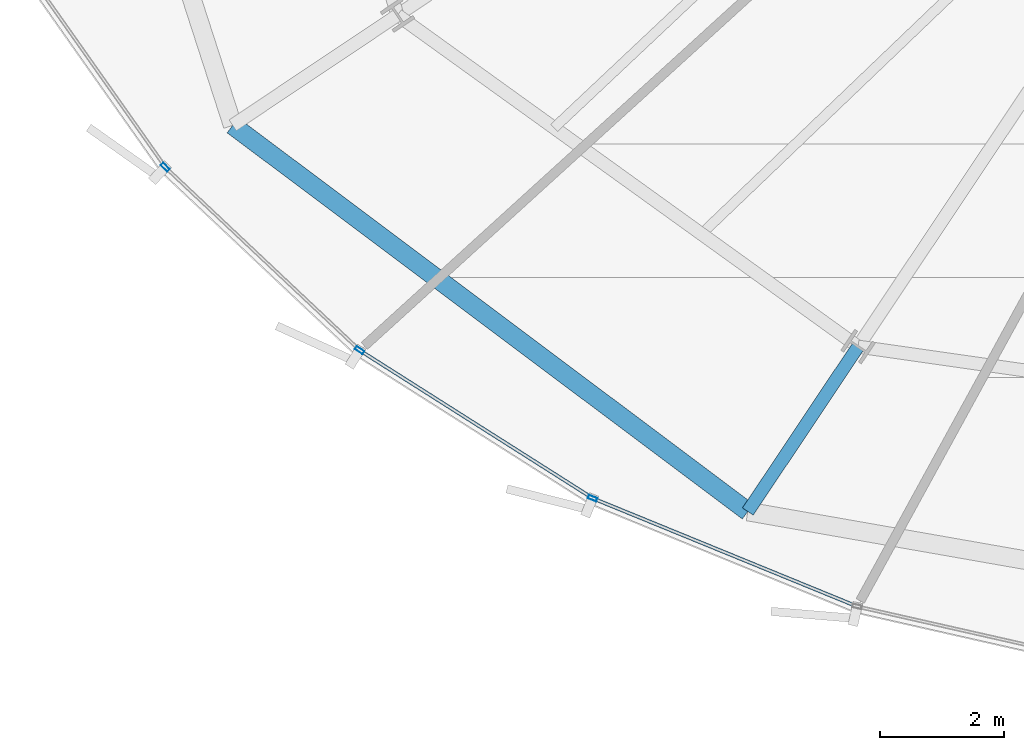
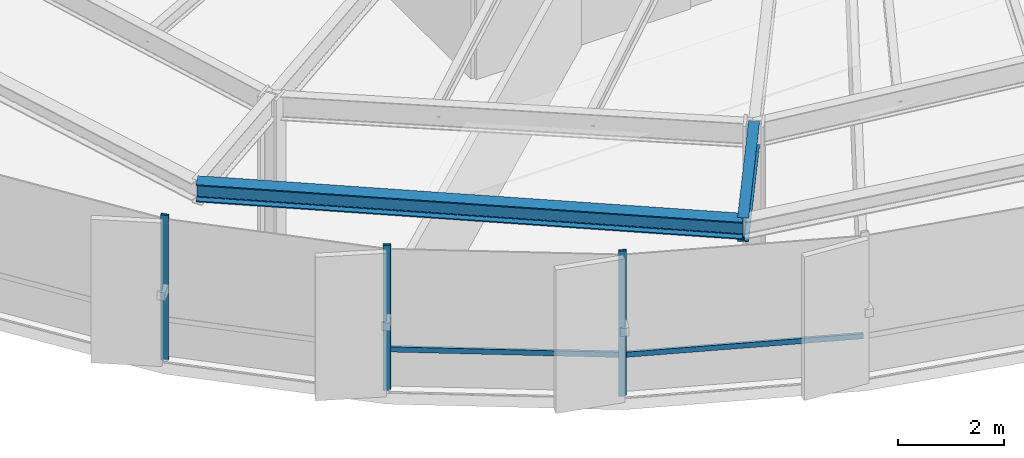
# One storey, part 2 of 35: 5 members, 2 beams, 1 element without a shape of its own.
"""IFC4 building model written with IfcOpenShell, lengths in metres."""

from ifc_helpers import new_model, si_unit, direction, frame, origin, origin_2d, place, context, subcontext, project, spatial, hollow_rectangle, i_section, extrude, source, transform, mapped, material, layer, layer_set, material_profile, profile_set, type_object, element, aggregate, save


model = new_model("IFC4")

# Units and contexts
model_context = context("Model", 3, precision=1e-05, world=origin(), true_north=direction((0.0, 1.0)))
body_context = subcontext(model_context, "Body", "Model", "MODEL_VIEW")
ifc_project = project(units=[si_unit("LENGTHUNIT", "METRE"), si_unit("AREAUNIT", "SQUARE_METRE"), si_unit("VOLUMEUNIT", "CUBIC_METRE"), si_unit("PLANEANGLEUNIT", "RADIAN"), si_unit("MASSUNIT", "GRAM", prefix="KILO"), si_unit("THERMODYNAMICTEMPERATUREUNIT", "KELVIN")], contexts=[model_context])

# Site, building, storey
site_placement = place(None, origin())
site = spatial("IfcSite", under=ifc_project, at=site_placement, CompositionType="ELEMENT")
building_placement = place(site_placement, origin())
building = spatial("IfcBuilding", under=site, at=building_placement, Name="Kethvar Cultural Tower", CompositionType="ELEMENT")
storey_placement = place(building_placement, frame((0.0, 0.0, 103.60009765625)))
storey = spatial("IfcBuildingStorey", under=building, at=storey_placement, Name="L25", CompositionType="ELEMENT", Elevation=103.60009765625)

# Beams
ifc_material_1 = material(Name="Steel S355J2", Category="steel")
ifc_material_profile_1 = material_profile(ifc_material_1, i_section(OverallWidth=0.2099609375, OverallDepth=0.550048828125, WebThickness=0.010986328125, FlangeThickness=0.01708984375, FilletRadius=0.02392578125, at=origin_2d()), Name="Steel S355J2 — IPE550")
ifc_profile_set_1 = profile_set([ifc_material_profile_1], Name="Steel S355J2 — IPE550")
beam_type_1 = type_object("IfcBeamType", Name="BM-IPE550", PredefinedType="BEAM", material=ifc_profile_set_1)
shared_shape_1 = source(origin(), body_context, "Body", "SweptSolid", [
    extrude(i_section(OverallWidth=0.2099609375, OverallDepth=0.550048828125, WebThickness=0.010986328125, FlangeThickness=0.01708984375, FilletRadius=0.02392578125, at=origin_2d()), origin(), (0.0, 0.0, 1.0), 3.199951171875),
])
beam_1_placement = place(storey_placement, frame((34.350830078125, 9.16845703125, 3.072998046875), z_axis=(-0.555580212716, -0.831462943996, 0.0), x_axis=(0.831462943996, -0.555580212716, 0.0)))
element("IfcBeam", 1, at=beam_1_placement, inside=storey, type_object=beam_type_1, Name="L25 Perimeter Cantilever Beam RC-11", PredefinedType="BEAM", context=body_context, shape_type="MappedRepresentation", body=[
    mapped(shared_shape_1, transform((0.0, 0.0, 0.0), scale=1.0)),
])
ifc_material_profile_2 = material_profile(ifc_material_1, i_section(OverallWidth=0.300048828125, OverallDepth=0.39990234375, WebThickness=0.013427734375, FlangeThickness=0.02392578125, FilletRadius=0.027099609375, at=origin_2d()), Name="Steel S355J2 — HEB400")
ifc_profile_set_2 = profile_set([ifc_material_profile_2], Name="Steel S355J2 — HEB400")
beam_type_2 = type_object("IfcBeamType", Name="BM-SP400", PredefinedType="SPANDREL", material=ifc_profile_set_2)
shared_shape_2 = source(origin(), body_context, "Body", "SweptSolid", [
    extrude(i_section(OverallWidth=0.300048828125, OverallDepth=0.39990234375, WebThickness=0.013427734375, FlangeThickness=0.02392578125, FilletRadius=0.027099609375, at=origin_2d()), origin(), (0.0, 0.0, 1.0), 10.38916015625),
])
beam_2_placement = place(storey_placement, frame((24.260009765625, 12.7392578125, 3.14794921875), z_axis=(0.800152249906, -0.599796946449, 0.0), x_axis=(0.599796946449, 0.800152249906, 0.0)))
element("IfcBeam", 2, at=beam_2_placement, inside=storey, type_object=beam_type_2, Name="L25 Perimeter Spandrel Beam SP-10", PredefinedType="SPANDREL", context=body_context, shape_type="MappedRepresentation", body=[
    mapped(shared_shape_2, transform((0.0, 0.0, 0.0), scale=1.0)),
])

# Curtain wall, members
ifc_material_2 = material(Name="Aluminium 6063-T6", Category="aluminium")
ifc_layer = layer(ifc_material_2, 0.179931640625, Name="Aluminium 6063-T6", Category="aluminium")
ifc_layer_set = layer_set([ifc_layer], Name="Aluminium 6063-T6 (180 mm)")
curtain_wall_type = type_object("IfcCurtainWallType", Name="CW-SYS-03-Z2", PredefinedType="NOTDEFINED", material=ifc_layer_set)
curtain_wall_placement = place(storey_placement, origin())
curtain_wall = element("IfcCurtainWall", 3, at=curtain_wall_placement, inside=storey, type_object=curtain_wall_type, Name="L25 Curtain Wall Run 04", PredefinedType="NOTDEFINED")
ifc_material_profile_3 = material_profile(ifc_material_2, hollow_rectangle(XDim=0.06005859375, YDim=0.14990234375, WallThickness=0.0048828125, at=origin_2d()), Name="Aluminium 6063-T6 — RHS150x60x5")
ifc_profile_set_3 = profile_set([ifc_material_profile_3], Name="Aluminium 6063-T6 — RHS150x60x5")
member_type_1 = type_object("IfcMemberType", Name="CW-SYS-03-Z2-MUL", PredefinedType="MULLION", material=ifc_profile_set_3)
shared_shape_3 = source(origin(), body_context, "Body", "SweptSolid", [
    extrude(hollow_rectangle(XDim=0.06005859375, YDim=0.14990234375, WallThickness=0.0048828125, at=origin_2d()), origin(), (0.0, 0.0, 1.0), 3.349853515625),
])
member_1_placement = place(storey_placement, frame((23.17138671875, 12.064453125, 0.0), z_axis=(0.0, 0.0, 1.0), x_axis=(0.685411780999, 0.728155677357, 0.0)))
member_1 = element("IfcMember", 4, at=member_1_placement, type_object=member_type_1, Name="CW-L25-R04 Mullion 3", PredefinedType="MULLION", context=body_context, shape_type="MappedRepresentation", body=[
    mapped(shared_shape_3, transform((0.0, 0.0, 0.0), scale=1.0)),
])
member_2_placement = place(storey_placement, frame((26.30712890625, 9.10986328125, 0.0), z_axis=(0.0, 0.0, 1.0), x_axis=(0.535797322048, 0.844346628871, 0.0)))
member_2 = element("IfcMember", 5, at=member_2_placement, type_object=member_type_1, Name="CW-L25-R04 Mullion 4", PredefinedType="MULLION", context=body_context, shape_type="MappedRepresentation", body=[
    mapped(shared_shape_3, transform((0.0, 0.0, 0.0), scale=1.0)),
])
member_3_placement = place(storey_placement, frame((30.06689453125, 6.721923828125, 0.0), z_axis=(0.0, 0.0, 1.0), x_axis=(0.378551692902, 0.925580150933, 0.0)))
member_3 = element("IfcMember", 6, at=member_3_placement, type_object=member_type_1, Name="CW-L25-R04 Mullion 5", PredefinedType="MULLION", context=body_context, shape_type="MappedRepresentation", body=[
    mapped(shared_shape_3, transform((0.0, 0.0, 0.0), scale=1.0)),
])
ifc_material_profile_4 = material_profile(ifc_material_2, hollow_rectangle(XDim=0.054931640625, YDim=0.1201171875, WallThickness=0.00390625, at=origin_2d()), Name="Aluminium 6063-T6 — RHS120x55x4")
ifc_profile_set_4 = profile_set([ifc_material_profile_4], Name="Aluminium 6063-T6 — RHS120x55x4")
member_type_2 = type_object("IfcMemberType", Name="CW-SYS-03-Z2-TRN", PredefinedType="USERDEFINED", material=ifc_profile_set_4)
shared_shape_4 = source(origin(), body_context, "Body", "SweptSolid", [
    extrude(hollow_rectangle(XDim=0.054931640625, YDim=0.1201171875, WallThickness=0.00390625, at=origin_2d()), origin(), (0.0, 0.0, 1.0), 4.3876953125),
])
member_4_placement = place(storey_placement, frame((26.34375, 9.0869140625, 0.949951171875), z_axis=(0.844320706204, -0.535838170604, 0.0), x_axis=(0.535838170604, 0.844320706204, 0.0)))
member_4 = element("IfcMember", 7, at=member_4_placement, type_object=member_type_2, Name="CW-L25-R04 Transom 4", ObjectType="TRANSOM", PredefinedType="USERDEFINED", context=body_context, shape_type="MappedRepresentation", body=[
    mapped(shared_shape_4, transform((0.0, 0.0, 0.0), scale=1.0)),
])
shared_shape_5 = source(origin(), body_context, "Body", "SweptSolid", [
    extrude(hollow_rectangle(XDim=0.054931640625, YDim=0.1201171875, WallThickness=0.00390625, at=origin_2d()), origin(), (0.0, 0.0, 1.0), 4.5458984375),
])
member_5_placement = place(storey_placement, frame((30.106689453125, 6.705810546875, 0.949951171875), z_axis=(0.925570908224, -0.378574291057, 0.0), x_axis=(0.378574291057, 0.925570908224, 0.0)))
member_5 = element("IfcMember", 8, at=member_5_placement, type_object=member_type_2, Name="CW-L25-R04 Transom 5", ObjectType="TRANSOM", PredefinedType="USERDEFINED", context=body_context, shape_type="MappedRepresentation", body=[
    mapped(shared_shape_5, transform((0.0, 0.0, 0.0), scale=1.0)),
])
aggregate(curtain_wall, [member_1, member_2, member_3, member_4, member_5])

save(model, "model.ifc")
